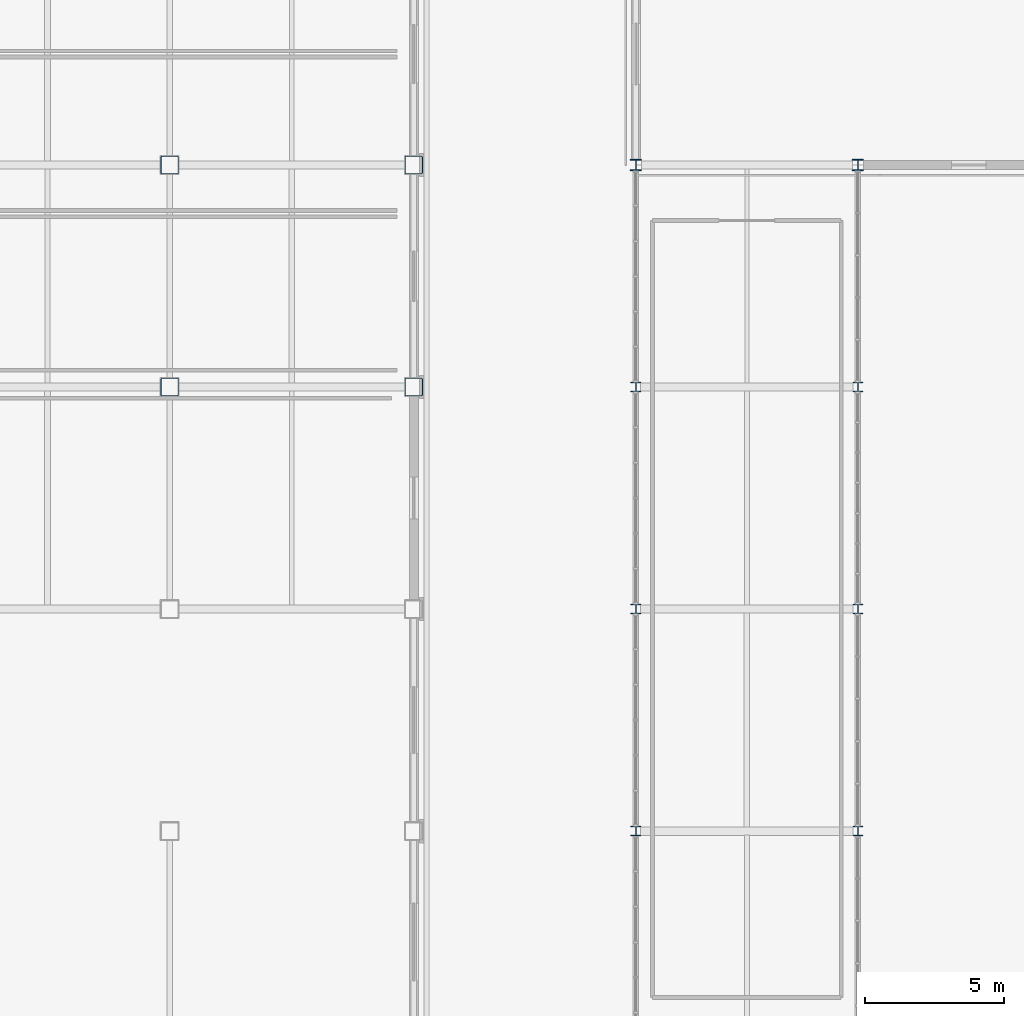
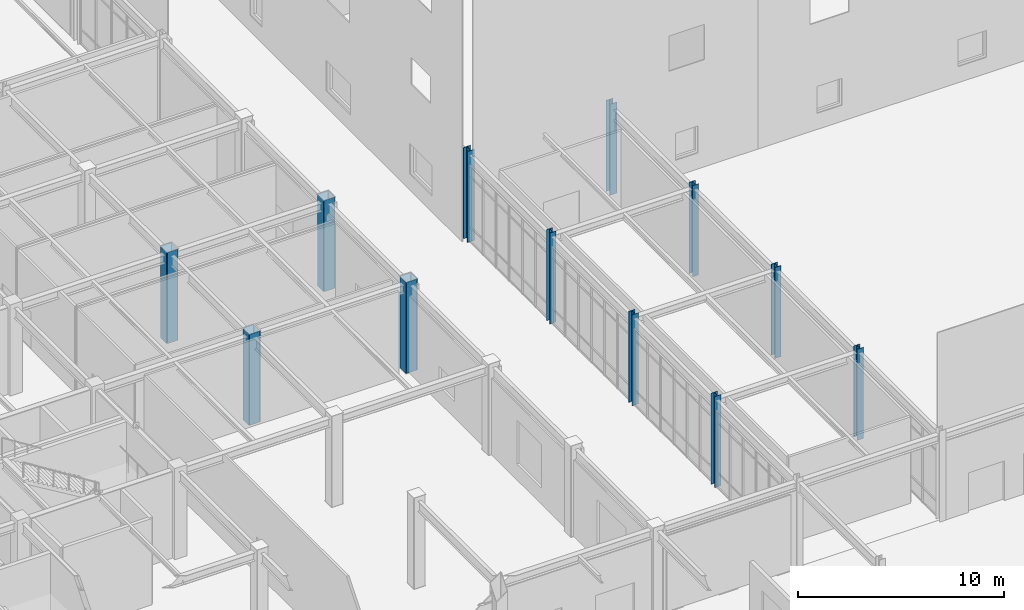
# One storey, part 4 of 119: 12 columns.
"""IFC4 building model written with IfcOpenShell, lengths in metres."""

import ifcopenshell
import ifcopenshell.guid

model = None  # the IFC model being written
_history = None  # IfcOwnerHistory: only IFC2X3 demands one
_inside = {}  # id of a spatial element -> (the spatial element, [elements in it])
_under = {}  # id of a project, library or spatial element -> (it, [spatial elements below it])
_declared = {}  # id of a project -> (the project, [libraries it declares])
_typed = {}  # id of a type object -> (the type object, [elements of that type])
_made_of = {}  # id of a material, layer set ... -> (it, [elements and type objects made of it])


def new_model(schema):
    """Start an empty IFC model of exactly this schema.

    Asked for "IFC4X3", IfcOpenShell would pick the latest addendum, in which some entities
    have other attributes; the version numbers below select the first issue.
    IFC2X3 requires an IfcOwnerHistory on every rooted entity: one is made here for all.
    """
    global model, _history
    if schema == "IFC4X3":
        model = ifcopenshell.file(schema_version=(4, 3, 0, 0))
    else:
        model = ifcopenshell.file(schema=schema)
    _inside.clear()
    _under.clear()
    _declared.clear()
    _typed.clear()
    _made_of.clear()
    _history = None
    if model.schema == "IFC2X3":
        org = make("IfcOrganization", Name="unknown")
        user = make(
            "IfcPersonAndOrganization",
            ThePerson=make("IfcPerson", FamilyName="unknown"),
            TheOrganization=org,
        )
        app = make(
            "IfcApplication",
            ApplicationDeveloper=org,
            Version="unknown",
            ApplicationFullName="unknown",
            ApplicationIdentifier="unknown",
        )
        _history = make(
            "IfcOwnerHistory",
            OwningUser=user,
            OwningApplication=app,
            ChangeAction="ADDED",
            CreationDate=0,
        )
    return model


def make(cls, **values):
    """One entity of the class cls with the attributes given. An attribute that is None is left unset."""
    return model.create_entity(
        cls, **{name: value for name, value in values.items() if value is not None}
    )


def rooted(cls, **values):
    """An entity with a GlobalId (a new one), such as an element, a storey or a relation."""
    return make(cls, GlobalId=ifcopenshell.guid.new(), OwnerHistory=_history, **values)


def si_unit(unit_type, name, prefix=None):
    """IfcSIUnit, for example si_unit("LENGTHUNIT", "METRE", prefix="MILLI")."""
    return make("IfcSIUnit", UnitType=unit_type, Prefix=prefix, Name=name)


def assignment(units):
    """IfcUnitAssignment: the units of a project."""
    return None if units is None else make("IfcUnitAssignment", Units=units)


def point(xyz):
    """IfcCartesianPoint."""
    return None if xyz is None else make("IfcCartesianPoint", Coordinates=xyz)


def direction(xyz):
    """IfcDirection."""
    return None if xyz is None else make("IfcDirection", DirectionRatios=xyz)


def frame(location, z_axis=None, x_axis=None):
    """IfcAxis2Placement3D, a coordinate frame: its origin and axes. An axis left out is left unset."""
    return make(
        "IfcAxis2Placement3D",
        Location=point(location),
        Axis=direction(z_axis),
        RefDirection=direction(x_axis),
    )


def frame_2d(location, x_axis=None):
    """IfcAxis2Placement2D, a coordinate frame in the plane: its origin and x axis."""
    return make(
        "IfcAxis2Placement2D", Location=point(location), RefDirection=direction(x_axis)
    )


def origin():
    """The frame at (0, 0, 0) with its axes left unset."""
    return frame((0.0, 0.0, 0.0))


def origin_2d():
    """The frame at (0, 0) in the plane with its x axis left unset."""
    return frame_2d((0.0, 0.0))


def place(relative_to, where):
    """IfcLocalPlacement: puts the frame where relative to a parent placement (None: the world)."""
    return make(
        "IfcLocalPlacement", PlacementRelTo=relative_to, RelativePlacement=where
    )


def context(
    kind, dimensions, precision=None, world=None, true_north=None, identifier=None
):
    """IfcGeometricRepresentationContext, for example the 3D "Model" context."""
    return make(
        "IfcGeometricRepresentationContext",
        ContextIdentifier=identifier,
        ContextType=kind,
        CoordinateSpaceDimension=dimensions,
        Precision=precision,
        WorldCoordinateSystem=world,
        TrueNorth=true_north,
    )


def subcontext(parent, identifier, kind, view, scale=None):
    """IfcGeometricRepresentationSubContext, for example "Body" below "Model"."""
    return make(
        "IfcGeometricRepresentationSubContext",
        ContextIdentifier=identifier,
        ContextType=kind,
        ParentContext=parent,
        TargetScale=scale,
        TargetView=view,
    )


def project(units=None, contexts=None):
    """IfcProject with its units and contexts."""
    return rooted(
        "IfcProject",
        Name="project",
        RepresentationContexts=contexts,
        UnitsInContext=assignment(units),
    )


def spatial(cls, under=None, at=None, **own):
    """A site, building, storey or space (cls), placed at a placement, below another one or the project."""
    s = rooted(cls, ObjectPlacement=at, **own)
    if under is not None:
        _under.setdefault(under.id(), (under, []))[1].append(s)
    return s


def profile(cls, at=None, kind="AREA", **sizes):
    """A parametric profile (cls). Its sizes go by their IFC names, for example OverallWidth=200.0."""
    return make(cls, ProfileType=kind, Position=at, **sizes)


def hollow_rectangle(**sizes):
    """IfcRectangleHollowProfileDef."""
    return profile("IfcRectangleHollowProfileDef", **sizes)


def i_section(**sizes):
    """IfcIShapeProfileDef."""
    return profile("IfcIShapeProfileDef", **sizes)


def extrude(swept, where, along, depth):
    """IfcExtrudedAreaSolid: the profile swept, set in the frame where, extruded along a direction by depth."""
    return make(
        "IfcExtrudedAreaSolid",
        SweptArea=swept,
        Position=where,
        ExtrudedDirection=direction(along),
        Depth=depth,
    )


def shape(context_of_items, identifier, shape_type, items):
    """IfcShapeRepresentation: the items that make up one representation, for example the "Body"."""
    return make(
        "IfcShapeRepresentation",
        ContextOfItems=context_of_items,
        RepresentationIdentifier=identifier,
        RepresentationType=shape_type,
        Items=items,
    )


def material(Name=None, Category=None):
    """IfcMaterial."""
    return make("IfcMaterial", Name=Name, Category=Category)


def material_profile(
    of_material, cross_section, Name=None, Category=None, Priority=None
):
    """IfcMaterialProfile: a cross section and its material."""
    return make(
        "IfcMaterialProfile",
        Name=Name,
        Material=of_material,
        Profile=cross_section,
        Priority=Priority,
        Category=Category,
    )


def profile_set(profiles, Name=None, composite=None):
    """IfcMaterialProfileSet."""
    return make(
        "IfcMaterialProfileSet",
        Name=Name,
        MaterialProfiles=profiles,
        CompositeProfile=composite,
    )


def made_of(thing, what):
    """Note that an element or type object is made of a material, layer set ...; save() writes the relation."""
    if what is not None:
        _made_of.setdefault(what.id(), (what, []))[1].append(thing)
    return thing


def type_object(cls, material=None, **own):
    """A type object (cls), such as IfcWallType, which elements share."""
    return made_of(rooted(cls, **own), material)


def element(
    cls,
    number,
    at=None,
    inside=None,
    cuts=None,
    type_object=None,
    material=None,
    context=None,
    identifier="Body",
    shape_type=None,
    held_by="IfcProductDefinitionShape",
    body=None,
    shapes=None,
    **own,
):
    """One element of the class cls, such as IfcWall. Its Tag is "e" and its number.

    at: its placement. inside: the storey or other place that contains it. cuts: it is an
    opening in that element (IfcRelVoidsElement). A single representation is given by context,
    identifier, shape_type and body (its items); several are given by shapes. held_by: the class
    of the entity that holds the representations. save() writes the other relations.
    """
    e = rooted(cls, Tag="e%d" % number, ObjectPlacement=at, **own)
    if body is not None:
        shapes = [shape(context, identifier, shape_type, body)]
    if shapes is not None:
        e.Representation = make(held_by, Representations=shapes)
    if inside is not None:
        _inside.setdefault(inside.id(), (inside, []))[1].append(e)
    if cuts is not None:
        rooted(
            "IfcRelVoidsElement", RelatingBuildingElement=cuts, RelatedOpeningElement=e
        )
    if type_object is not None:
        _typed.setdefault(type_object.id(), (type_object, []))[1].append(e)
    return made_of(e, material)


def aggregate(whole, parts):
    """IfcRelAggregates: a whole, such as a stair, and the parts it consists of."""
    return rooted("IfcRelAggregates", RelatingObject=whole, RelatedObjects=parts)


def save(model, path):
    """Write the relations noted so far, then the file.

    IfcRelAggregates (storeys below a building ...), IfcRelContainedInSpatialStructure (elements
    in a storey), IfcRelDefinesByType, IfcRelAssociatesMaterial and IfcRelDeclares: one each for
    every whole, place, type object, material and project.
    """
    for whole, parts in _under.values():
        aggregate(whole, parts)
    for where, things in _inside.values():
        rooted(
            "IfcRelContainedInSpatialStructure",
            RelatedElements=things,
            RelatingStructure=where,
        )
    for kind, things in _typed.values():
        rooted("IfcRelDefinesByType", RelatedObjects=things, RelatingType=kind)
    for what, things in _made_of.values():
        rooted("IfcRelAssociatesMaterial", RelatedObjects=things, RelatingMaterial=what)
    for by, libraries in _declared.values():
        rooted("IfcRelDeclares", RelatingContext=by, RelatedDefinitions=libraries)
    model.write(path)


model = new_model("IFC4")

# Units and contexts
model_context = context("Model", 3, precision=1e-05, world=origin(), true_north=direction((0.0, 1.0)))
body_context = subcontext(model_context, "Body", "Model", "MODEL_VIEW")
ifc_project = project(units=[si_unit("LENGTHUNIT", "METRE"), si_unit("AREAUNIT", "SQUARE_METRE"), si_unit("VOLUMEUNIT", "CUBIC_METRE"), si_unit("PLANEANGLEUNIT", "RADIAN"), si_unit("MASSUNIT", "GRAM", prefix="KILO")], contexts=[model_context])

# Site, building, storey
site_placement = place(None, origin())
site = spatial("IfcSite", under=ifc_project, at=site_placement, CompositionType="ELEMENT")
building_placement = place(site_placement, origin())
building = spatial("IfcBuilding", under=site, at=building_placement, Name="Zhaolan Boulevard Law Courts", CompositionType="ELEMENT")
storey_placement = place(building_placement, origin())
storey = spatial("IfcBuildingStorey", under=building, at=storey_placement, Name="L00", CompositionType="ELEMENT", Elevation=0.0)

# Columns
ifc_material_1 = material(Name="Structural steel Q390B", Category="steel")
ifc_material_profile_1 = material_profile(ifc_material_1, hollow_rectangle(XDim=0.64990234375, YDim=0.64990234375, WallThickness=0.02587890625, InnerFilletRadius=0.02587890625, OuterFilletRadius=0.052001953125, at=origin_2d()), Name="BOX650x650x26")
ifc_profile_set_1 = profile_set([ifc_material_profile_1], Name="Structural steel Q390B")
column_type_1 = type_object("IfcColumnType", Name="COL BOX650", PredefinedType="COLUMN", material=ifc_profile_set_1)
for number, where, z_axis, x_axis, name in (
    (1, (35.199951171875, 54.0, 0.0), (0.0, 0.0, 1.0), (1.0, 0.0, 0.0), "Column C-5H (L00)"),
    (2, (35.199951171875, 62.0, 0.0), (0.0, 0.0, 1.0), (1.0, 0.0, 0.0), "Column C-5J (L00)"),
    (3, (44.0, 54.0, 0.0), (0.0, 0.0, 1.0), (1.0, 0.0, 0.0), "Column C-6H (L00)"),
    (4, (44.0, 62.0, 0.0), (0.0, 0.0, 1.0), (1.0, 0.0, 0.0), "Column C-6J (L00)"),
):
    element("IfcColumn", number, at=place(storey_placement, frame(where, z_axis=z_axis, x_axis=x_axis)), inside=storey, type_object=column_type_1, Name=name, PredefinedType="COLUMN", context=body_context, shape_type="SweptSolid", body=[
        extrude(hollow_rectangle(XDim=0.64990234375, YDim=0.64990234375, WallThickness=0.02587890625, InnerFilletRadius=0.02587890625, OuterFilletRadius=0.052001953125, at=origin_2d()), origin(), (0.0, 0.0, 1.0), 5.39990234375),
    ])
ifc_material_2 = material(Name="Structural steel Q355B", Category="steel")
ifc_material_profile_2 = material_profile(ifc_material_2, i_section(OverallWidth=0.35009765625, OverallDepth=0.35009765625, WebThickness=0.011962890625, FlangeThickness=0.01904296875, FilletRadius=0.02001953125, at=origin_2d()), Name="HW350x350")
ifc_profile_set_2 = profile_set([ifc_material_profile_2], Name="Structural steel Q355B")
column_type_2 = type_object("IfcColumnType", Name="COL HW350", PredefinedType="COLUMN", material=ifc_profile_set_2)
for number, where, z_axis, x_axis, name in (
    (5, (52.0, 38.0, 0.0), (0.0, 0.0, 1.0), (1.0, 0.0, 0.0), "Column C-7F (L00)"),
    (6, (52.0, 46.0, 0.0), (0.0, 0.0, 1.0), (1.0, 0.0, 0.0), "Column C-7G (L00)"),
    (7, (52.0, 54.0, 0.0), (0.0, 0.0, 1.0), (1.0, 0.0, 0.0), "Column C-7H (L00)"),
    (8, (60.0, 38.0, 0.0), (0.0, 0.0, 1.0), (1.0, 0.0, 0.0), "Column C-8F (L00)"),
    (9, (60.0, 46.0, 0.0), (0.0, 0.0, 1.0), (1.0, 0.0, 0.0), "Column C-8G (L00)"),
    (10, (60.0, 54.0, 0.0), (0.0, 0.0, 1.0), (1.0, 0.0, 0.0), "Column C-8H (L00)"),
):
    element("IfcColumn", number, at=place(storey_placement, frame(where, z_axis=z_axis, x_axis=x_axis)), inside=storey, type_object=column_type_2, Name=name, PredefinedType="COLUMN", context=body_context, shape_type="SweptSolid", body=[
        extrude(i_section(OverallWidth=0.35009765625, OverallDepth=0.35009765625, WebThickness=0.011962890625, FlangeThickness=0.01904296875, FilletRadius=0.02001953125, at=origin_2d()), origin(), (0.0, 0.0, 1.0), 5.39990234375),
    ])
ifc_material_3 = material(Name="Structural steel Q390B", Category="steel")
ifc_material_profile_3 = material_profile(ifc_material_3, i_section(OverallWidth=0.39990234375, OverallDepth=0.39990234375, WebThickness=0.012939453125, FlangeThickness=0.02099609375, FilletRadius=0.02197265625, at=origin_2d()), Name="HW400x400")
ifc_profile_set_3 = profile_set([ifc_material_profile_3], Name="Structural steel Q390B")
column_type_3 = type_object("IfcColumnType", Name="COL HW400", PredefinedType="COLUMN", material=ifc_profile_set_3)
for number, where, z_axis, x_axis, name in (
    (11, (52.0, 62.0, 0.0), (0.0, 0.0, 1.0), (1.0, 0.0, 0.0), "Column C-7J (L00)"),
    (12, (60.0, 62.0, 0.0), (0.0, 0.0, 1.0), (1.0, 0.0, 0.0), "Column C-8J (L00)"),
):
    element("IfcColumn", number, at=place(storey_placement, frame(where, z_axis=z_axis, x_axis=x_axis)), inside=storey, type_object=column_type_3, Name=name, PredefinedType="COLUMN", context=body_context, shape_type="SweptSolid", body=[
        extrude(i_section(OverallWidth=0.39990234375, OverallDepth=0.39990234375, WebThickness=0.012939453125, FlangeThickness=0.02099609375, FilletRadius=0.02197265625, at=origin_2d()), origin(), (0.0, 0.0, 1.0), 5.39990234375),
    ])

save(model, "model.ifc")
